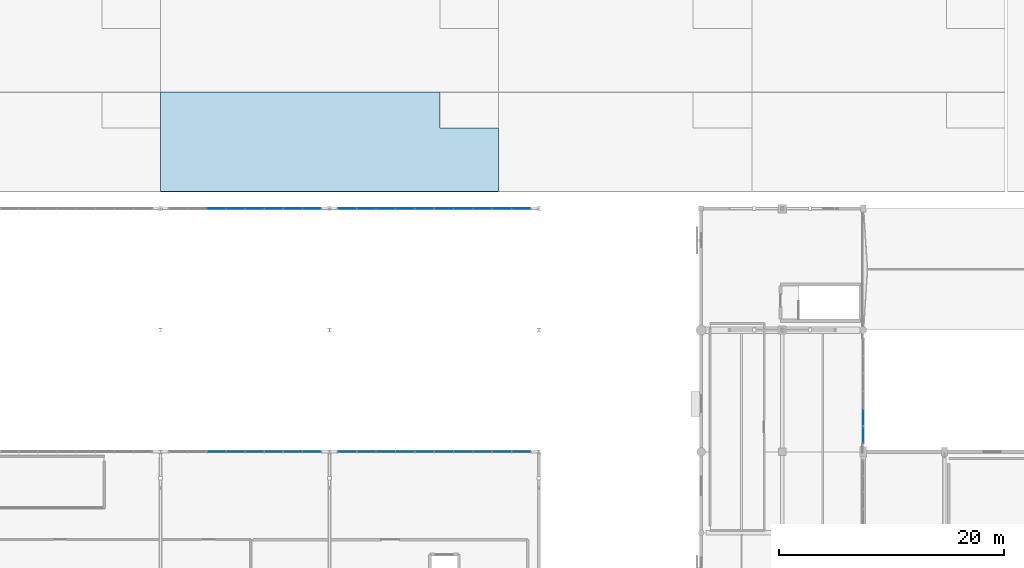
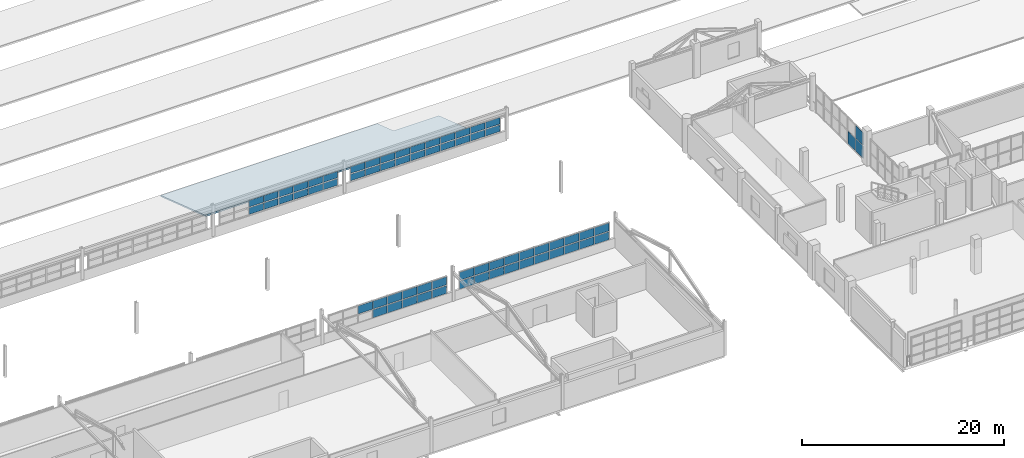
# One storey, part 47 of 90: 66 plates, 1 slab, 5 elements without a shape of their own.
"""IFC4 building model written with IfcOpenShell, lengths in metres."""

from ifc_helpers import new_model, si_unit, direction, frame, origin, origin_2d, place, context, subcontext, project, spatial, polyline, rectangle, outline, extrude, material, layer, layer_set, type_object, element, aggregate, save


model = new_model("IFC4")

# Units and contexts
model_context = context("Model", 3, precision=1e-05, world=origin(), true_north=direction((0.0, 1.0)))
body_context = subcontext(model_context, "Body", "Model", "MODEL_VIEW")
ifc_project = project(units=[si_unit("LENGTHUNIT", "METRE"), si_unit("AREAUNIT", "SQUARE_METRE"), si_unit("VOLUMEUNIT", "CUBIC_METRE"), si_unit("PLANEANGLEUNIT", "RADIAN"), si_unit("MASSUNIT", "GRAM", prefix="KILO")], contexts=[model_context])

# Site, building, storey
site_placement = place(None, origin())
site = spatial("IfcSite", under=ifc_project, at=site_placement, CompositionType="ELEMENT")
building_placement = place(site_placement, origin())
building = spatial("IfcBuilding", under=site, at=building_placement, Name="Solanera Park Tramway Depot", CompositionType="ELEMENT")
storey_placement = place(building_placement, frame((0.0, 0.0, 9.0)))
storey = spatial("IfcBuildingStorey", under=building, at=storey_placement, Name="L02", CompositionType="ELEMENT", Elevation=9.0)

# Curtain wall, plates
ifc_material_1 = material(Name="Bronze-anodised thermally broken aluminium curtain wall", Category="aluminium")
curtain_wall_type_1 = type_object("IfcCurtainWallType", Name="Courtyard Cloister Unitised Curtain Wall", PredefinedType="NOTDEFINED", material=ifc_material_1)
curtain_wall_1_placement = place(storey_placement, origin())
curtain_wall_1 = element("IfcCurtainWall", 1, at=curtain_wall_1_placement, inside=storey, type_object=curtain_wall_type_1, Name="L02 Courtyard Cloister Unitised Curtain Wall #112", PredefinedType="NOTDEFINED")
ifc_material_2 = material(Name="Low-E laminated solar-control double glazing", Category="glass")
ifc_layer_1 = layer(ifc_material_2, 0.028076171875)
ifc_layer_set_1 = layer_set([ifc_layer_1], Name="Low-E laminated solar-control double glazing")
plate_type = type_object("IfcPlateType", Name="Curtain Wall Double Glazing Panel 28", PredefinedType="CURTAIN_PANEL", material=ifc_layer_set_1)
plate_1_placement = place(storey_placement, frame((122.39990234375, 33.899658203125, 0.11181640625), z_axis=(0.0, 0.0, 1.0), x_axis=(0.0, 1.0, 0.0)))
plate_1 = element("IfcPlate", 2, at=plate_1_placement, type_object=plate_type, Name="CW-L02-112 Glazing Panel R1.C1", PredefinedType="CURTAIN_PANEL", context=body_context, shape_type="SweptSolid", body=[
    extrude(rectangle(XDim=1.482177734375, YDim=0.028076171875, at=origin_2d()), origin(), (0.0, 0.0, 1.0), 1.510986328125),
])
plate_2_placement = place(storey_placement, frame((122.39990234375, 35.449951171875, 0.11181640625), z_axis=(0.0, 0.0, 1.0), x_axis=(0.0, 1.0, 0.0)))
plate_2 = element("IfcPlate", 3, at=plate_2_placement, type_object=plate_type, Name="CW-L02-112 Glazing Panel R1.C2", PredefinedType="CURTAIN_PANEL", context=body_context, shape_type="SweptSolid", body=[
    extrude(rectangle(XDim=1.5146484375, YDim=0.028076171875, at=origin_2d()), origin(), (0.0, 0.0, 1.0), 1.510986328125),
])
plate_3_placement = place(storey_placement, frame((122.39990234375, 33.899658203125, 1.72705078125), z_axis=(0.0, 0.0, 1.0), x_axis=(0.0, 1.0, 0.0)))
plate_3 = element("IfcPlate", 4, at=plate_3_placement, type_object=plate_type, Name="CW-L02-112 Glazing Panel R2.C1", PredefinedType="CURTAIN_PANEL", context=body_context, shape_type="SweptSolid", body=[
    extrude(rectangle(XDim=1.482177734375, YDim=0.028076171875, at=origin_2d()), origin(), (0.0, 0.0, 1.0), 1.510986328125),
])
aggregate(curtain_wall_1, [plate_1, plate_2, plate_3])

ifc_material_3 = material(Name="Bronze-anodised thermally broken aluminium curtain wall", Category="aluminium")
curtain_wall_type_2 = type_object("IfcCurtainWallType", Name="Workshop Daylight Ribbon Curtain Wall", PredefinedType="NOTDEFINED", material=ifc_material_3)
curtain_wall_2_placement = place(storey_placement, origin())
curtain_wall_2 = element("IfcCurtainWall", 5, at=curtain_wall_2_placement, inside=storey, type_object=curtain_wall_type_2, Name="L02 Workshop Daylight Ribbon Curtain Wall #160", PredefinedType="NOTDEFINED")
plate_4_placement = place(storey_placement, frame((73.433837890625, 54.0, 1.112060546875), z_axis=(0.0, 0.0, 1.0), x_axis=(-1.0, 0.0, 0.0)))
plate_4 = element("IfcPlate", 6, at=plate_4_placement, type_object=plate_type, Name="CW-L02-160 Glazing Panel R1.C1", PredefinedType="CURTAIN_PANEL", context=body_context, shape_type="SweptSolid", body=[
    extrude(rectangle(XDim=1.615478515625, YDim=0.028076171875, at=origin_2d()), origin(), (0.0, 0.0, 1.0), 0.7958984375),
])
plate_5_placement = place(storey_placement, frame((71.75, 54.0, 1.112060546875), z_axis=(0.0, 0.0, 1.0), x_axis=(-1.0, 0.0, 0.0)))
plate_5 = element("IfcPlate", 7, at=plate_5_placement, type_object=plate_type, Name="CW-L02-160 Glazing Panel R1.C2", PredefinedType="CURTAIN_PANEL", context=body_context, shape_type="SweptSolid", body=[
    extrude(rectangle(XDim=1.64794921875, YDim=0.028076171875, at=origin_2d()), origin(), (0.0, 0.0, 1.0), 0.7958984375),
])
plate_6_placement = place(storey_placement, frame((70.050048828125, 54.0, 1.112060546875), z_axis=(0.0, 0.0, 1.0), x_axis=(-1.0, 0.0, 0.0)))
plate_6 = element("IfcPlate", 8, at=plate_6_placement, type_object=plate_type, Name="CW-L02-160 Glazing Panel R1.C3", PredefinedType="CURTAIN_PANEL", context=body_context, shape_type="SweptSolid", body=[
    extrude(rectangle(XDim=1.64794921875, YDim=0.028076171875, at=origin_2d()), origin(), (0.0, 0.0, 1.0), 0.7958984375),
])
plate_7_placement = place(storey_placement, frame((68.35009765625, 54.0, 1.112060546875), z_axis=(0.0, 0.0, 1.0), x_axis=(-1.0, 0.0, 0.0)))
plate_7 = element("IfcPlate", 9, at=plate_7_placement, type_object=plate_type, Name="CW-L02-160 Glazing Panel R1.C4", PredefinedType="CURTAIN_PANEL", context=body_context, shape_type="SweptSolid", body=[
    extrude(rectangle(XDim=1.64794921875, YDim=0.028076171875, at=origin_2d()), origin(), (0.0, 0.0, 1.0), 0.7958984375),
])
plate_8_placement = place(storey_placement, frame((66.64990234375, 54.0, 1.112060546875), z_axis=(0.0, 0.0, 1.0), x_axis=(-1.0, 0.0, 0.0)))
plate_8 = element("IfcPlate", 10, at=plate_8_placement, type_object=plate_type, Name="CW-L02-160 Glazing Panel R1.C5", PredefinedType="CURTAIN_PANEL", context=body_context, shape_type="SweptSolid", body=[
    extrude(rectangle(XDim=1.64794921875, YDim=0.028076171875, at=origin_2d()), origin(), (0.0, 0.0, 1.0), 0.7958984375),
])
plate_9_placement = place(storey_placement, frame((64.949951171875, 54.0, 1.112060546875), z_axis=(0.0, 0.0, 1.0), x_axis=(-1.0, 0.0, 0.0)))
plate_9 = element("IfcPlate", 11, at=plate_9_placement, type_object=plate_type, Name="CW-L02-160 Glazing Panel R1.C6", PredefinedType="CURTAIN_PANEL", context=body_context, shape_type="SweptSolid", body=[
    extrude(rectangle(XDim=1.64794921875, YDim=0.028076171875, at=origin_2d()), origin(), (0.0, 0.0, 1.0), 0.7958984375),
])
plate_10_placement = place(storey_placement, frame((73.433837890625, 54.0, 2.011962890625), z_axis=(0.0, 0.0, 1.0), x_axis=(-1.0, 0.0, 0.0)))
plate_10 = element("IfcPlate", 12, at=plate_10_placement, type_object=plate_type, Name="CW-L02-160 Glazing Panel R2.C1", PredefinedType="CURTAIN_PANEL", context=body_context, shape_type="SweptSolid", body=[
    extrude(rectangle(XDim=1.615478515625, YDim=0.028076171875, at=origin_2d()), origin(), (0.0, 0.0, 1.0), 0.7958984375),
])
plate_11_placement = place(storey_placement, frame((71.75, 54.0, 2.011962890625), z_axis=(0.0, 0.0, 1.0), x_axis=(-1.0, 0.0, 0.0)))
plate_11 = element("IfcPlate", 13, at=plate_11_placement, type_object=plate_type, Name="CW-L02-160 Glazing Panel R2.C2", PredefinedType="CURTAIN_PANEL", context=body_context, shape_type="SweptSolid", body=[
    extrude(rectangle(XDim=1.64794921875, YDim=0.028076171875, at=origin_2d()), origin(), (0.0, 0.0, 1.0), 0.7958984375),
])
plate_12_placement = place(storey_placement, frame((70.050048828125, 54.0, 2.011962890625), z_axis=(0.0, 0.0, 1.0), x_axis=(-1.0, 0.0, 0.0)))
plate_12 = element("IfcPlate", 14, at=plate_12_placement, type_object=plate_type, Name="CW-L02-160 Glazing Panel R2.C3", PredefinedType="CURTAIN_PANEL", context=body_context, shape_type="SweptSolid", body=[
    extrude(rectangle(XDim=1.64794921875, YDim=0.028076171875, at=origin_2d()), origin(), (0.0, 0.0, 1.0), 0.7958984375),
])
plate_13_placement = place(storey_placement, frame((68.35009765625, 54.0, 2.011962890625), z_axis=(0.0, 0.0, 1.0), x_axis=(-1.0, 0.0, 0.0)))
plate_13 = element("IfcPlate", 15, at=plate_13_placement, type_object=plate_type, Name="CW-L02-160 Glazing Panel R2.C4", PredefinedType="CURTAIN_PANEL", context=body_context, shape_type="SweptSolid", body=[
    extrude(rectangle(XDim=1.64794921875, YDim=0.028076171875, at=origin_2d()), origin(), (0.0, 0.0, 1.0), 0.7958984375),
])
plate_14_placement = place(storey_placement, frame((66.64990234375, 54.0, 2.011962890625), z_axis=(0.0, 0.0, 1.0), x_axis=(-1.0, 0.0, 0.0)))
plate_14 = element("IfcPlate", 16, at=plate_14_placement, type_object=plate_type, Name="CW-L02-160 Glazing Panel R2.C5", PredefinedType="CURTAIN_PANEL", context=body_context, shape_type="SweptSolid", body=[
    extrude(rectangle(XDim=1.64794921875, YDim=0.028076171875, at=origin_2d()), origin(), (0.0, 0.0, 1.0), 0.7958984375),
])
plate_15_placement = place(storey_placement, frame((64.949951171875, 54.0, 2.011962890625), z_axis=(0.0, 0.0, 1.0), x_axis=(-1.0, 0.0, 0.0)))
plate_15 = element("IfcPlate", 17, at=plate_15_placement, type_object=plate_type, Name="CW-L02-160 Glazing Panel R2.C6", PredefinedType="CURTAIN_PANEL", context=body_context, shape_type="SweptSolid", body=[
    extrude(rectangle(XDim=1.64794921875, YDim=0.028076171875, at=origin_2d()), origin(), (0.0, 0.0, 1.0), 0.7958984375),
])
aggregate(curtain_wall_2, [plate_4, plate_5, plate_6, plate_7, plate_8, plate_9, plate_10, plate_11, plate_12, plate_13, plate_14, plate_15])

curtain_wall_3_placement = place(storey_placement, origin())
curtain_wall_3 = element("IfcCurtainWall", 18, at=curtain_wall_3_placement, inside=storey, type_object=curtain_wall_type_2, Name="L02 Workshop Daylight Ribbon Curtain Wall #161", PredefinedType="NOTDEFINED")
plate_16_placement = place(storey_placement, frame((66.64990234375, 32.39990234375, 1.112060546875), z_axis=(0.0, 0.0, 1.0), x_axis=(1.0, 0.0, 0.0)))
plate_16 = element("IfcPlate", 19, at=plate_16_placement, type_object=plate_type, Name="CW-L02-161 Glazing Panel R1.C4", PredefinedType="CURTAIN_PANEL", context=body_context, shape_type="SweptSolid", body=[
    extrude(rectangle(XDim=1.64794921875, YDim=0.028076171875, at=origin_2d()), origin(), (0.0, 0.0, 1.0), 0.9609375),
])
plate_17_placement = place(storey_placement, frame((68.35009765625, 32.39990234375, 1.112060546875), z_axis=(0.0, 0.0, 1.0), x_axis=(1.0, 0.0, 0.0)))
plate_17 = element("IfcPlate", 20, at=plate_17_placement, type_object=plate_type, Name="CW-L02-161 Glazing Panel R1.C5", PredefinedType="CURTAIN_PANEL", context=body_context, shape_type="SweptSolid", body=[
    extrude(rectangle(XDim=1.64794921875, YDim=0.028076171875, at=origin_2d()), origin(), (0.0, 0.0, 1.0), 0.9609375),
])
plate_18_placement = place(storey_placement, frame((70.050048828125, 32.39990234375, 1.112060546875), z_axis=(0.0, 0.0, 1.0), x_axis=(1.0, 0.0, 0.0)))
plate_18 = element("IfcPlate", 21, at=plate_18_placement, type_object=plate_type, Name="CW-L02-161 Glazing Panel R1.C6", PredefinedType="CURTAIN_PANEL", context=body_context, shape_type="SweptSolid", body=[
    extrude(rectangle(XDim=1.64794921875, YDim=0.028076171875, at=origin_2d()), origin(), (0.0, 0.0, 1.0), 0.9609375),
])
plate_19_placement = place(storey_placement, frame((71.75, 32.39990234375, 1.112060546875), z_axis=(0.0, 0.0, 1.0), x_axis=(1.0, 0.0, 0.0)))
plate_19 = element("IfcPlate", 22, at=plate_19_placement, type_object=plate_type, Name="CW-L02-161 Glazing Panel R1.C7", PredefinedType="CURTAIN_PANEL", context=body_context, shape_type="SweptSolid", body=[
    extrude(rectangle(XDim=1.64794921875, YDim=0.028076171875, at=origin_2d()), origin(), (0.0, 0.0, 1.0), 0.9609375),
])
plate_20_placement = place(storey_placement, frame((73.433837890625, 32.39990234375, 1.112060546875), z_axis=(0.0, 0.0, 1.0), x_axis=(1.0, 0.0, 0.0)))
plate_20 = element("IfcPlate", 23, at=plate_20_placement, type_object=plate_type, Name="CW-L02-161 Glazing Panel R1.C8", PredefinedType="CURTAIN_PANEL", context=body_context, shape_type="SweptSolid", body=[
    extrude(rectangle(XDim=1.615478515625, YDim=0.028076171875, at=origin_2d()), origin(), (0.0, 0.0, 1.0), 0.9609375),
])
plate_21_placement = place(storey_placement, frame((64.949951171875, 32.39990234375, 2.177001953125), z_axis=(0.0, 0.0, 1.0), x_axis=(1.0, 0.0, 0.0)))
plate_21 = element("IfcPlate", 24, at=plate_21_placement, type_object=plate_type, Name="CW-L02-161 Glazing Panel R2.C3", PredefinedType="CURTAIN_PANEL", context=body_context, shape_type="SweptSolid", body=[
    extrude(rectangle(XDim=1.64794921875, YDim=0.028076171875, at=origin_2d()), origin(), (0.0, 0.0, 1.0), 0.9609375),
])
plate_22_placement = place(storey_placement, frame((66.64990234375, 32.39990234375, 2.177001953125), z_axis=(0.0, 0.0, 1.0), x_axis=(1.0, 0.0, 0.0)))
plate_22 = element("IfcPlate", 25, at=plate_22_placement, type_object=plate_type, Name="CW-L02-161 Glazing Panel R2.C4", PredefinedType="CURTAIN_PANEL", context=body_context, shape_type="SweptSolid", body=[
    extrude(rectangle(XDim=1.64794921875, YDim=0.028076171875, at=origin_2d()), origin(), (0.0, 0.0, 1.0), 0.9609375),
])
plate_23_placement = place(storey_placement, frame((68.35009765625, 32.39990234375, 2.177001953125), z_axis=(0.0, 0.0, 1.0), x_axis=(1.0, 0.0, 0.0)))
plate_23 = element("IfcPlate", 26, at=plate_23_placement, type_object=plate_type, Name="CW-L02-161 Glazing Panel R2.C5", PredefinedType="CURTAIN_PANEL", context=body_context, shape_type="SweptSolid", body=[
    extrude(rectangle(XDim=1.64794921875, YDim=0.028076171875, at=origin_2d()), origin(), (0.0, 0.0, 1.0), 0.9609375),
])
plate_24_placement = place(storey_placement, frame((70.050048828125, 32.39990234375, 2.177001953125), z_axis=(0.0, 0.0, 1.0), x_axis=(1.0, 0.0, 0.0)))
plate_24 = element("IfcPlate", 27, at=plate_24_placement, type_object=plate_type, Name="CW-L02-161 Glazing Panel R2.C6", PredefinedType="CURTAIN_PANEL", context=body_context, shape_type="SweptSolid", body=[
    extrude(rectangle(XDim=1.64794921875, YDim=0.028076171875, at=origin_2d()), origin(), (0.0, 0.0, 1.0), 0.9609375),
])
plate_25_placement = place(storey_placement, frame((71.75, 32.39990234375, 2.177001953125), z_axis=(0.0, 0.0, 1.0), x_axis=(1.0, 0.0, 0.0)))
plate_25 = element("IfcPlate", 28, at=plate_25_placement, type_object=plate_type, Name="CW-L02-161 Glazing Panel R2.C7", PredefinedType="CURTAIN_PANEL", context=body_context, shape_type="SweptSolid", body=[
    extrude(rectangle(XDim=1.64794921875, YDim=0.028076171875, at=origin_2d()), origin(), (0.0, 0.0, 1.0), 0.9609375),
])
plate_26_placement = place(storey_placement, frame((73.433837890625, 32.39990234375, 2.177001953125), z_axis=(0.0, 0.0, 1.0), x_axis=(1.0, 0.0, 0.0)))
plate_26 = element("IfcPlate", 29, at=plate_26_placement, type_object=plate_type, Name="CW-L02-161 Glazing Panel R2.C8", PredefinedType="CURTAIN_PANEL", context=body_context, shape_type="SweptSolid", body=[
    extrude(rectangle(XDim=1.615478515625, YDim=0.028076171875, at=origin_2d()), origin(), (0.0, 0.0, 1.0), 0.9609375),
])
aggregate(curtain_wall_3, [plate_16, plate_17, plate_18, plate_19, plate_20, plate_21, plate_22, plate_23, plate_24, plate_25, plate_26])

curtain_wall_4_placement = place(storey_placement, origin())
curtain_wall_4 = element("IfcCurtainWall", 30, at=curtain_wall_4_placement, inside=storey, type_object=curtain_wall_type_2, Name="L02 Workshop Daylight Ribbon Curtain Wall #162", PredefinedType="NOTDEFINED")
plate_27_placement = place(storey_placement, frame((92.023681640625, 54.0, 1.112060546875), z_axis=(0.0, 0.0, 1.0), x_axis=(-1.0, 0.0, 0.0)))
plate_27 = element("IfcPlate", 31, at=plate_27_placement, type_object=plate_type, Name="CW-L02-162 Glazing Panel R1.C1", PredefinedType="CURTAIN_PANEL", context=body_context, shape_type="SweptSolid", body=[
    extrude(rectangle(XDim=1.635498046875, YDim=0.028076171875, at=origin_2d()), origin(), (0.0, 0.0, 1.0), 0.7958984375),
])
plate_28_placement = place(storey_placement, frame((90.320068359375, 54.0, 1.112060546875), z_axis=(0.0, 0.0, 1.0), x_axis=(-1.0, 0.0, 0.0)))
plate_28 = element("IfcPlate", 32, at=plate_28_placement, type_object=plate_type, Name="CW-L02-162 Glazing Panel R1.C2", PredefinedType="CURTAIN_PANEL", context=body_context, shape_type="SweptSolid", body=[
    extrude(rectangle(XDim=1.66796875, YDim=0.028076171875, at=origin_2d()), origin(), (0.0, 0.0, 1.0), 0.7958984375),
])
plate_29_placement = place(storey_placement, frame((88.60009765625, 54.0, 1.112060546875), z_axis=(0.0, 0.0, 1.0), x_axis=(-1.0, 0.0, 0.0)))
plate_29 = element("IfcPlate", 33, at=plate_29_placement, type_object=plate_type, Name="CW-L02-162 Glazing Panel R1.C3", PredefinedType="CURTAIN_PANEL", context=body_context, shape_type="SweptSolid", body=[
    extrude(rectangle(XDim=1.66796875, YDim=0.028076171875, at=origin_2d()), origin(), (0.0, 0.0, 1.0), 0.7958984375),
])
plate_30_placement = place(storey_placement, frame((86.8798828125, 54.0, 1.112060546875), z_axis=(0.0, 0.0, 1.0), x_axis=(-1.0, 0.0, 0.0)))
plate_30 = element("IfcPlate", 34, at=plate_30_placement, type_object=plate_type, Name="CW-L02-162 Glazing Panel R1.C4", PredefinedType="CURTAIN_PANEL", context=body_context, shape_type="SweptSolid", body=[
    extrude(rectangle(XDim=1.66796875, YDim=0.028076171875, at=origin_2d()), origin(), (0.0, 0.0, 1.0), 0.7958984375),
])
plate_31_placement = place(storey_placement, frame((85.159912109375, 54.0, 1.112060546875), z_axis=(0.0, 0.0, 1.0), x_axis=(-1.0, 0.0, 0.0)))
plate_31 = element("IfcPlate", 35, at=plate_31_placement, type_object=plate_type, Name="CW-L02-162 Glazing Panel R1.C5", PredefinedType="CURTAIN_PANEL", context=body_context, shape_type="SweptSolid", body=[
    extrude(rectangle(XDim=1.66796875, YDim=0.028076171875, at=origin_2d()), origin(), (0.0, 0.0, 1.0), 0.7958984375),
])
plate_32_placement = place(storey_placement, frame((83.43994140625, 54.0, 1.112060546875), z_axis=(0.0, 0.0, 1.0), x_axis=(-1.0, 0.0, 0.0)))
plate_32 = element("IfcPlate", 36, at=plate_32_placement, type_object=plate_type, Name="CW-L02-162 Glazing Panel R1.C6", PredefinedType="CURTAIN_PANEL", context=body_context, shape_type="SweptSolid", body=[
    extrude(rectangle(XDim=1.66796875, YDim=0.028076171875, at=origin_2d()), origin(), (0.0, 0.0, 1.0), 0.7958984375),
])
plate_33_placement = place(storey_placement, frame((81.719970703125, 54.0, 1.112060546875), z_axis=(0.0, 0.0, 1.0), x_axis=(-1.0, 0.0, 0.0)))
plate_33 = element("IfcPlate", 37, at=plate_33_placement, type_object=plate_type, Name="CW-L02-162 Glazing Panel R1.C7", PredefinedType="CURTAIN_PANEL", context=body_context, shape_type="SweptSolid", body=[
    extrude(rectangle(XDim=1.66796875, YDim=0.028076171875, at=origin_2d()), origin(), (0.0, 0.0, 1.0), 0.7958984375),
])
plate_34_placement = place(storey_placement, frame((80.0, 54.0, 1.112060546875), z_axis=(0.0, 0.0, 1.0), x_axis=(-1.0, 0.0, 0.0)))
plate_34 = element("IfcPlate", 38, at=plate_34_placement, type_object=plate_type, Name="CW-L02-162 Glazing Panel R1.C8", PredefinedType="CURTAIN_PANEL", context=body_context, shape_type="SweptSolid", body=[
    extrude(rectangle(XDim=1.66796875, YDim=0.028076171875, at=origin_2d()), origin(), (0.0, 0.0, 1.0), 0.7958984375),
])
plate_35_placement = place(storey_placement, frame((78.280029296875, 54.0, 1.112060546875), z_axis=(0.0, 0.0, 1.0), x_axis=(-1.0, 0.0, 0.0)))
plate_35 = element("IfcPlate", 39, at=plate_35_placement, type_object=plate_type, Name="CW-L02-162 Glazing Panel R1.C9", PredefinedType="CURTAIN_PANEL", context=body_context, shape_type="SweptSolid", body=[
    extrude(rectangle(XDim=1.66796875, YDim=0.028076171875, at=origin_2d()), origin(), (0.0, 0.0, 1.0), 0.7958984375),
])
plate_36_placement = place(storey_placement, frame((76.576416015625, 54.0, 1.112060546875), z_axis=(0.0, 0.0, 1.0), x_axis=(-1.0, 0.0, 0.0)))
plate_36 = element("IfcPlate", 40, at=plate_36_placement, type_object=plate_type, Name="CW-L02-162 Glazing Panel R1.C10", PredefinedType="CURTAIN_PANEL", context=body_context, shape_type="SweptSolid", body=[
    extrude(rectangle(XDim=1.635498046875, YDim=0.028076171875, at=origin_2d()), origin(), (0.0, 0.0, 1.0), 0.7958984375),
])
plate_37_placement = place(storey_placement, frame((92.023681640625, 54.0, 2.011962890625), z_axis=(0.0, 0.0, 1.0), x_axis=(-1.0, 0.0, 0.0)))
plate_37 = element("IfcPlate", 41, at=plate_37_placement, type_object=plate_type, Name="CW-L02-162 Glazing Panel R2.C1", PredefinedType="CURTAIN_PANEL", context=body_context, shape_type="SweptSolid", body=[
    extrude(rectangle(XDim=1.635498046875, YDim=0.028076171875, at=origin_2d()), origin(), (0.0, 0.0, 1.0), 0.7958984375),
])
plate_38_placement = place(storey_placement, frame((90.320068359375, 54.0, 2.011962890625), z_axis=(0.0, 0.0, 1.0), x_axis=(-1.0, 0.0, 0.0)))
plate_38 = element("IfcPlate", 42, at=plate_38_placement, type_object=plate_type, Name="CW-L02-162 Glazing Panel R2.C2", PredefinedType="CURTAIN_PANEL", context=body_context, shape_type="SweptSolid", body=[
    extrude(rectangle(XDim=1.66796875, YDim=0.028076171875, at=origin_2d()), origin(), (0.0, 0.0, 1.0), 0.7958984375),
])
plate_39_placement = place(storey_placement, frame((88.60009765625, 54.0, 2.011962890625), z_axis=(0.0, 0.0, 1.0), x_axis=(-1.0, 0.0, 0.0)))
plate_39 = element("IfcPlate", 43, at=plate_39_placement, type_object=plate_type, Name="CW-L02-162 Glazing Panel R2.C3", PredefinedType="CURTAIN_PANEL", context=body_context, shape_type="SweptSolid", body=[
    extrude(rectangle(XDim=1.66796875, YDim=0.028076171875, at=origin_2d()), origin(), (0.0, 0.0, 1.0), 0.7958984375),
])
plate_40_placement = place(storey_placement, frame((86.8798828125, 54.0, 2.011962890625), z_axis=(0.0, 0.0, 1.0), x_axis=(-1.0, 0.0, 0.0)))
plate_40 = element("IfcPlate", 44, at=plate_40_placement, type_object=plate_type, Name="CW-L02-162 Glazing Panel R2.C4", PredefinedType="CURTAIN_PANEL", context=body_context, shape_type="SweptSolid", body=[
    extrude(rectangle(XDim=1.66796875, YDim=0.028076171875, at=origin_2d()), origin(), (0.0, 0.0, 1.0), 0.7958984375),
])
plate_41_placement = place(storey_placement, frame((85.159912109375, 54.0, 2.011962890625), z_axis=(0.0, 0.0, 1.0), x_axis=(-1.0, 0.0, 0.0)))
plate_41 = element("IfcPlate", 45, at=plate_41_placement, type_object=plate_type, Name="CW-L02-162 Glazing Panel R2.C5", PredefinedType="CURTAIN_PANEL", context=body_context, shape_type="SweptSolid", body=[
    extrude(rectangle(XDim=1.66796875, YDim=0.028076171875, at=origin_2d()), origin(), (0.0, 0.0, 1.0), 0.7958984375),
])
plate_42_placement = place(storey_placement, frame((83.43994140625, 54.0, 2.011962890625), z_axis=(0.0, 0.0, 1.0), x_axis=(-1.0, 0.0, 0.0)))
plate_42 = element("IfcPlate", 46, at=plate_42_placement, type_object=plate_type, Name="CW-L02-162 Glazing Panel R2.C6", PredefinedType="CURTAIN_PANEL", context=body_context, shape_type="SweptSolid", body=[
    extrude(rectangle(XDim=1.66796875, YDim=0.028076171875, at=origin_2d()), origin(), (0.0, 0.0, 1.0), 0.7958984375),
])
plate_43_placement = place(storey_placement, frame((81.719970703125, 54.0, 2.011962890625), z_axis=(0.0, 0.0, 1.0), x_axis=(-1.0, 0.0, 0.0)))
plate_43 = element("IfcPlate", 47, at=plate_43_placement, type_object=plate_type, Name="CW-L02-162 Glazing Panel R2.C7", PredefinedType="CURTAIN_PANEL", context=body_context, shape_type="SweptSolid", body=[
    extrude(rectangle(XDim=1.66796875, YDim=0.028076171875, at=origin_2d()), origin(), (0.0, 0.0, 1.0), 0.7958984375),
])
plate_44_placement = place(storey_placement, frame((80.0, 54.0, 2.011962890625), z_axis=(0.0, 0.0, 1.0), x_axis=(-1.0, 0.0, 0.0)))
plate_44 = element("IfcPlate", 48, at=plate_44_placement, type_object=plate_type, Name="CW-L02-162 Glazing Panel R2.C8", PredefinedType="CURTAIN_PANEL", context=body_context, shape_type="SweptSolid", body=[
    extrude(rectangle(XDim=1.66796875, YDim=0.028076171875, at=origin_2d()), origin(), (0.0, 0.0, 1.0), 0.7958984375),
])
plate_45_placement = place(storey_placement, frame((78.280029296875, 54.0, 2.011962890625), z_axis=(0.0, 0.0, 1.0), x_axis=(-1.0, 0.0, 0.0)))
plate_45 = element("IfcPlate", 49, at=plate_45_placement, type_object=plate_type, Name="CW-L02-162 Glazing Panel R2.C9", PredefinedType="CURTAIN_PANEL", context=body_context, shape_type="SweptSolid", body=[
    extrude(rectangle(XDim=1.66796875, YDim=0.028076171875, at=origin_2d()), origin(), (0.0, 0.0, 1.0), 0.7958984375),
])
plate_46_placement = place(storey_placement, frame((76.576416015625, 54.0, 2.011962890625), z_axis=(0.0, 0.0, 1.0), x_axis=(-1.0, 0.0, 0.0)))
plate_46 = element("IfcPlate", 50, at=plate_46_placement, type_object=plate_type, Name="CW-L02-162 Glazing Panel R2.C10", PredefinedType="CURTAIN_PANEL", context=body_context, shape_type="SweptSolid", body=[
    extrude(rectangle(XDim=1.635498046875, YDim=0.028076171875, at=origin_2d()), origin(), (0.0, 0.0, 1.0), 0.7958984375),
])
aggregate(curtain_wall_4, [plate_27, plate_28, plate_29, plate_30, plate_31, plate_32, plate_33, plate_34, plate_35, plate_36, plate_37, plate_38, plate_39, plate_40, plate_41, plate_42, plate_43, plate_44, plate_45, plate_46])

curtain_wall_5_placement = place(storey_placement, origin())
curtain_wall_5 = element("IfcCurtainWall", 51, at=curtain_wall_5_placement, inside=storey, type_object=curtain_wall_type_2, Name="L02 Workshop Daylight Ribbon Curtain Wall #163", PredefinedType="NOTDEFINED")
plate_47_placement = place(storey_placement, frame((76.576416015625, 32.39990234375, 1.112060546875), z_axis=(0.0, 0.0, 1.0), x_axis=(1.0, 0.0, 0.0)))
plate_47 = element("IfcPlate", 52, at=plate_47_placement, type_object=plate_type, Name="CW-L02-163 Glazing Panel R1.C1", PredefinedType="CURTAIN_PANEL", context=body_context, shape_type="SweptSolid", body=[
    extrude(rectangle(XDim=1.635498046875, YDim=0.028076171875, at=origin_2d()), origin(), (0.0, 0.0, 1.0), 0.9609375),
])
plate_48_placement = place(storey_placement, frame((78.280029296875, 32.39990234375, 1.112060546875), z_axis=(0.0, 0.0, 1.0), x_axis=(1.0, 0.0, 0.0)))
plate_48 = element("IfcPlate", 53, at=plate_48_placement, type_object=plate_type, Name="CW-L02-163 Glazing Panel R1.C2", PredefinedType="CURTAIN_PANEL", context=body_context, shape_type="SweptSolid", body=[
    extrude(rectangle(XDim=1.66796875, YDim=0.028076171875, at=origin_2d()), origin(), (0.0, 0.0, 1.0), 0.9609375),
])
plate_49_placement = place(storey_placement, frame((80.0, 32.39990234375, 1.112060546875), z_axis=(0.0, 0.0, 1.0), x_axis=(1.0, 0.0, 0.0)))
plate_49 = element("IfcPlate", 54, at=plate_49_placement, type_object=plate_type, Name="CW-L02-163 Glazing Panel R1.C3", PredefinedType="CURTAIN_PANEL", context=body_context, shape_type="SweptSolid", body=[
    extrude(rectangle(XDim=1.66796875, YDim=0.028076171875, at=origin_2d()), origin(), (0.0, 0.0, 1.0), 0.9609375),
])
plate_50_placement = place(storey_placement, frame((81.719970703125, 32.39990234375, 1.112060546875), z_axis=(0.0, 0.0, 1.0), x_axis=(1.0, 0.0, 0.0)))
plate_50 = element("IfcPlate", 55, at=plate_50_placement, type_object=plate_type, Name="CW-L02-163 Glazing Panel R1.C4", PredefinedType="CURTAIN_PANEL", context=body_context, shape_type="SweptSolid", body=[
    extrude(rectangle(XDim=1.66796875, YDim=0.028076171875, at=origin_2d()), origin(), (0.0, 0.0, 1.0), 0.9609375),
])
plate_51_placement = place(storey_placement, frame((83.43994140625, 32.39990234375, 1.112060546875), z_axis=(0.0, 0.0, 1.0), x_axis=(1.0, 0.0, 0.0)))
plate_51 = element("IfcPlate", 56, at=plate_51_placement, type_object=plate_type, Name="CW-L02-163 Glazing Panel R1.C5", PredefinedType="CURTAIN_PANEL", context=body_context, shape_type="SweptSolid", body=[
    extrude(rectangle(XDim=1.66796875, YDim=0.028076171875, at=origin_2d()), origin(), (0.0, 0.0, 1.0), 0.9609375),
])
plate_52_placement = place(storey_placement, frame((85.159912109375, 32.39990234375, 1.112060546875), z_axis=(0.0, 0.0, 1.0), x_axis=(1.0, 0.0, 0.0)))
plate_52 = element("IfcPlate", 57, at=plate_52_placement, type_object=plate_type, Name="CW-L02-163 Glazing Panel R1.C6", PredefinedType="CURTAIN_PANEL", context=body_context, shape_type="SweptSolid", body=[
    extrude(rectangle(XDim=1.66796875, YDim=0.028076171875, at=origin_2d()), origin(), (0.0, 0.0, 1.0), 0.9609375),
])
plate_53_placement = place(storey_placement, frame((86.8798828125, 32.39990234375, 1.112060546875), z_axis=(0.0, 0.0, 1.0), x_axis=(1.0, 0.0, 0.0)))
plate_53 = element("IfcPlate", 58, at=plate_53_placement, type_object=plate_type, Name="CW-L02-163 Glazing Panel R1.C7", PredefinedType="CURTAIN_PANEL", context=body_context, shape_type="SweptSolid", body=[
    extrude(rectangle(XDim=1.66796875, YDim=0.028076171875, at=origin_2d()), origin(), (0.0, 0.0, 1.0), 0.9609375),
])
plate_54_placement = place(storey_placement, frame((88.60009765625, 32.39990234375, 1.112060546875), z_axis=(0.0, 0.0, 1.0), x_axis=(1.0, 0.0, 0.0)))
plate_54 = element("IfcPlate", 59, at=plate_54_placement, type_object=plate_type, Name="CW-L02-163 Glazing Panel R1.C8", PredefinedType="CURTAIN_PANEL", context=body_context, shape_type="SweptSolid", body=[
    extrude(rectangle(XDim=1.66796875, YDim=0.028076171875, at=origin_2d()), origin(), (0.0, 0.0, 1.0), 0.9609375),
])
plate_55_placement = place(storey_placement, frame((90.320068359375, 32.39990234375, 1.112060546875), z_axis=(0.0, 0.0, 1.0), x_axis=(1.0, 0.0, 0.0)))
plate_55 = element("IfcPlate", 60, at=plate_55_placement, type_object=plate_type, Name="CW-L02-163 Glazing Panel R1.C9", PredefinedType="CURTAIN_PANEL", context=body_context, shape_type="SweptSolid", body=[
    extrude(rectangle(XDim=1.66796875, YDim=0.028076171875, at=origin_2d()), origin(), (0.0, 0.0, 1.0), 0.9609375),
])
plate_56_placement = place(storey_placement, frame((92.023681640625, 32.39990234375, 1.112060546875), z_axis=(0.0, 0.0, 1.0), x_axis=(1.0, 0.0, 0.0)))
plate_56 = element("IfcPlate", 61, at=plate_56_placement, type_object=plate_type, Name="CW-L02-163 Glazing Panel R1.C10", PredefinedType="CURTAIN_PANEL", context=body_context, shape_type="SweptSolid", body=[
    extrude(rectangle(XDim=1.635498046875, YDim=0.028076171875, at=origin_2d()), origin(), (0.0, 0.0, 1.0), 0.9609375),
])
plate_57_placement = place(storey_placement, frame((76.576416015625, 32.39990234375, 2.177001953125), z_axis=(0.0, 0.0, 1.0), x_axis=(1.0, 0.0, 0.0)))
plate_57 = element("IfcPlate", 62, at=plate_57_placement, type_object=plate_type, Name="CW-L02-163 Glazing Panel R2.C1", PredefinedType="CURTAIN_PANEL", context=body_context, shape_type="SweptSolid", body=[
    extrude(rectangle(XDim=1.635498046875, YDim=0.028076171875, at=origin_2d()), origin(), (0.0, 0.0, 1.0), 0.9609375),
])
plate_58_placement = place(storey_placement, frame((78.280029296875, 32.39990234375, 2.177001953125), z_axis=(0.0, 0.0, 1.0), x_axis=(1.0, 0.0, 0.0)))
plate_58 = element("IfcPlate", 63, at=plate_58_placement, type_object=plate_type, Name="CW-L02-163 Glazing Panel R2.C2", PredefinedType="CURTAIN_PANEL", context=body_context, shape_type="SweptSolid", body=[
    extrude(rectangle(XDim=1.66796875, YDim=0.028076171875, at=origin_2d()), origin(), (0.0, 0.0, 1.0), 0.9609375),
])
plate_59_placement = place(storey_placement, frame((80.0, 32.39990234375, 2.177001953125), z_axis=(0.0, 0.0, 1.0), x_axis=(1.0, 0.0, 0.0)))
plate_59 = element("IfcPlate", 64, at=plate_59_placement, type_object=plate_type, Name="CW-L02-163 Glazing Panel R2.C3", PredefinedType="CURTAIN_PANEL", context=body_context, shape_type="SweptSolid", body=[
    extrude(rectangle(XDim=1.66796875, YDim=0.028076171875, at=origin_2d()), origin(), (0.0, 0.0, 1.0), 0.9609375),
])
plate_60_placement = place(storey_placement, frame((81.719970703125, 32.39990234375, 2.177001953125), z_axis=(0.0, 0.0, 1.0), x_axis=(1.0, 0.0, 0.0)))
plate_60 = element("IfcPlate", 65, at=plate_60_placement, type_object=plate_type, Name="CW-L02-163 Glazing Panel R2.C4", PredefinedType="CURTAIN_PANEL", context=body_context, shape_type="SweptSolid", body=[
    extrude(rectangle(XDim=1.66796875, YDim=0.028076171875, at=origin_2d()), origin(), (0.0, 0.0, 1.0), 0.9609375),
])
plate_61_placement = place(storey_placement, frame((83.43994140625, 32.39990234375, 2.177001953125), z_axis=(0.0, 0.0, 1.0), x_axis=(1.0, 0.0, 0.0)))
plate_61 = element("IfcPlate", 66, at=plate_61_placement, type_object=plate_type, Name="CW-L02-163 Glazing Panel R2.C5", PredefinedType="CURTAIN_PANEL", context=body_context, shape_type="SweptSolid", body=[
    extrude(rectangle(XDim=1.66796875, YDim=0.028076171875, at=origin_2d()), origin(), (0.0, 0.0, 1.0), 0.9609375),
])
plate_62_placement = place(storey_placement, frame((85.159912109375, 32.39990234375, 2.177001953125), z_axis=(0.0, 0.0, 1.0), x_axis=(1.0, 0.0, 0.0)))
plate_62 = element("IfcPlate", 67, at=plate_62_placement, type_object=plate_type, Name="CW-L02-163 Glazing Panel R2.C6", PredefinedType="CURTAIN_PANEL", context=body_context, shape_type="SweptSolid", body=[
    extrude(rectangle(XDim=1.66796875, YDim=0.028076171875, at=origin_2d()), origin(), (0.0, 0.0, 1.0), 0.9609375),
])
plate_63_placement = place(storey_placement, frame((86.8798828125, 32.39990234375, 2.177001953125), z_axis=(0.0, 0.0, 1.0), x_axis=(1.0, 0.0, 0.0)))
plate_63 = element("IfcPlate", 68, at=plate_63_placement, type_object=plate_type, Name="CW-L02-163 Glazing Panel R2.C7", PredefinedType="CURTAIN_PANEL", context=body_context, shape_type="SweptSolid", body=[
    extrude(rectangle(XDim=1.66796875, YDim=0.028076171875, at=origin_2d()), origin(), (0.0, 0.0, 1.0), 0.9609375),
])
plate_64_placement = place(storey_placement, frame((88.60009765625, 32.39990234375, 2.177001953125), z_axis=(0.0, 0.0, 1.0), x_axis=(1.0, 0.0, 0.0)))
plate_64 = element("IfcPlate", 69, at=plate_64_placement, type_object=plate_type, Name="CW-L02-163 Glazing Panel R2.C8", PredefinedType="CURTAIN_PANEL", context=body_context, shape_type="SweptSolid", body=[
    extrude(rectangle(XDim=1.66796875, YDim=0.028076171875, at=origin_2d()), origin(), (0.0, 0.0, 1.0), 0.9609375),
])
plate_65_placement = place(storey_placement, frame((90.320068359375, 32.39990234375, 2.177001953125), z_axis=(0.0, 0.0, 1.0), x_axis=(1.0, 0.0, 0.0)))
plate_65 = element("IfcPlate", 70, at=plate_65_placement, type_object=plate_type, Name="CW-L02-163 Glazing Panel R2.C9", PredefinedType="CURTAIN_PANEL", context=body_context, shape_type="SweptSolid", body=[
    extrude(rectangle(XDim=1.66796875, YDim=0.028076171875, at=origin_2d()), origin(), (0.0, 0.0, 1.0), 0.9609375),
])
plate_66_placement = place(storey_placement, frame((92.023681640625, 32.39990234375, 2.177001953125), z_axis=(0.0, 0.0, 1.0), x_axis=(1.0, 0.0, 0.0)))
plate_66 = element("IfcPlate", 71, at=plate_66_placement, type_object=plate_type, Name="CW-L02-163 Glazing Panel R2.C10", PredefinedType="CURTAIN_PANEL", context=body_context, shape_type="SweptSolid", body=[
    extrude(rectangle(XDim=1.635498046875, YDim=0.028076171875, at=origin_2d()), origin(), (0.0, 0.0, 1.0), 0.9609375),
])
aggregate(curtain_wall_5, [plate_47, plate_48, plate_49, plate_50, plate_51, plate_52, plate_53, plate_54, plate_55, plate_56, plate_57, plate_58, plate_59, plate_60, plate_61, plate_62, plate_63, plate_64, plate_65, plate_66])

# Slab
ifc_material_4 = material(Name="Concrete N40 (C40/50)", Category="concrete")
ifc_layer_2 = layer(ifc_material_4, 0.159912109375)
ifc_layer_set_2 = layer_set([ifc_layer_2], Name="Concrete N40 (C40/50)")
slab_type = type_object("IfcSlabType", Name="Slab Roof 160", PredefinedType="ROOF", material=ifc_layer_set_2)
slab_placement = place(storey_placement, frame((60.0, 55.5, 1.561279296875), z_axis=(3.484427e-06, 0.317306448811, 0.948323055467), x_axis=(0.999999999994, -1.105631e-06, -3.304362e-06)))
element("IfcSlab", 72, at=slab_placement, inside=storey, type_object=slab_type, Name="Sawtooth Sloped Roof Slab Bay 01.3", PredefinedType="ROOF", context=body_context, shape_type="SweptSolid", body=[
    extrude(outline(polyline([(0.0, 0.0), (29.99999999981788, 0.0), (30.000000000420087, 5.957840158536251), (24.800048828576656, 5.957840158536251), (24.800048827848183, 9.332353681286579), (-1.2626762391843352e-10, 9.332353681286579), (0.0, 0.0)])), origin(), (0.0, 0.0, -1.0), 0.159912109375),
])

save(model, "model.ifc")
